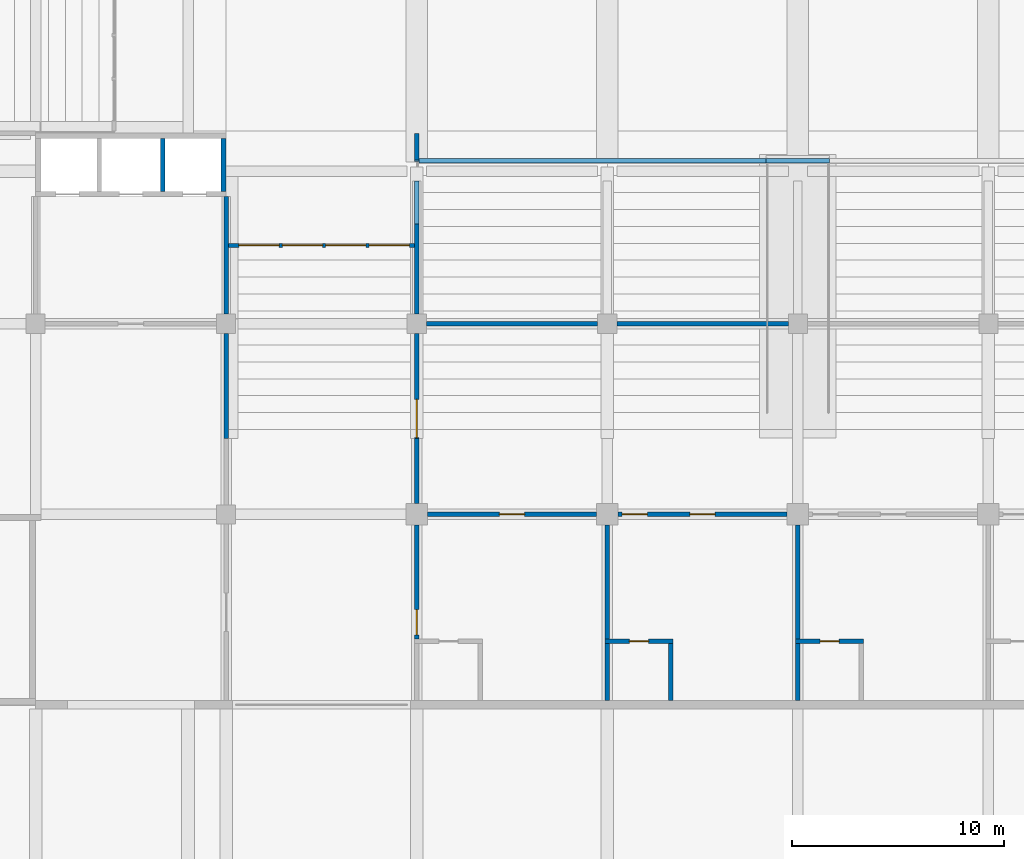
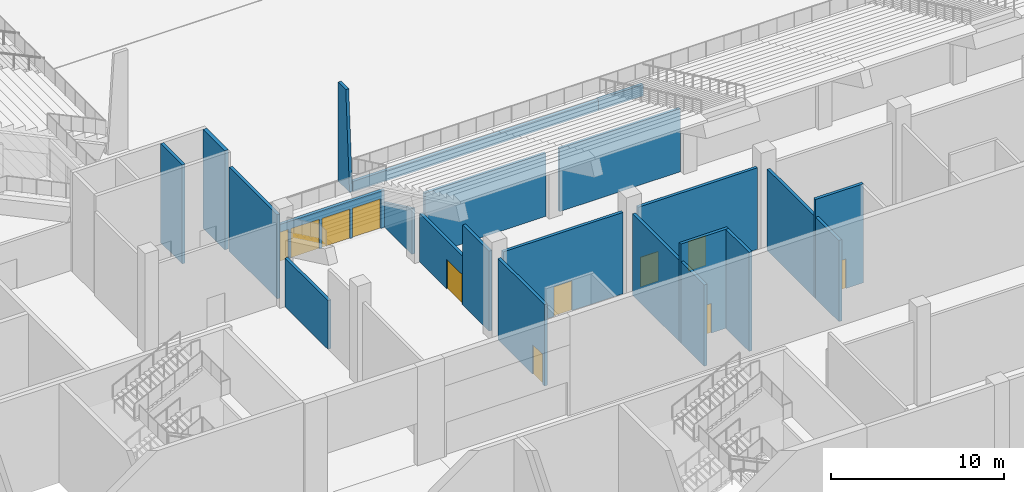
# One storey, part 25 of 92: 23 walls, 11 doors, 11 openings.
"""IFC4 building model written with IfcOpenShell, lengths in metres."""

from ifc_helpers import new_model, si_unit, direction, frame, frame_2d, origin, place, context, subcontext, project, spatial, polyline, rectangle, outline, extrude, material, layer, layer_set, type_object, element, fill, save


model = new_model("IFC4")

# Units and contexts
model_context = context("Model", 3, precision=1e-05, world=origin(), true_north=direction((0.0, 1.0)))
body_context = subcontext(model_context, "Body", "Model", "MODEL_VIEW")
ifc_project = project(units=[si_unit("LENGTHUNIT", "METRE"), si_unit("AREAUNIT", "SQUARE_METRE"), si_unit("VOLUMEUNIT", "CUBIC_METRE"), si_unit("PLANEANGLEUNIT", "RADIAN"), si_unit("MASSUNIT", "GRAM", prefix="KILO")], contexts=[model_context])

# Site, building, storey
site_placement = place(None, origin())
site = spatial("IfcSite", under=ifc_project, at=site_placement, CompositionType="ELEMENT")
building_placement = place(site_placement, origin())
building = spatial("IfcBuilding", under=site, at=building_placement, Name="Silverbay Arena", CompositionType="ELEMENT")
storey_placement = place(building_placement, origin())
storey = spatial("IfcBuildingStorey", under=building, at=storey_placement, Name="L00", CompositionType="ELEMENT", Elevation=0.0)

# Walls
ifc_material_1 = material(Name="Concrete Grade C45", Category="concrete")
ifc_layer_1 = layer(ifc_material_1, 0.199951171875)
ifc_layer_set_1 = layer_set([ifc_layer_1], Name="Concrete Grade C45")
wall_type_1 = type_object("IfcWallType", Name="Lift shaft divider RC 200 EI 120", PredefinedType="SHEAR", material=ifc_layer_set_1)
wall_1_placement = place(storey_placement, frame((96.0, 60.25, 0.0), z_axis=(0.0, 0.0, 1.0), x_axis=(0.0, 1.0, 0.0)))
element("IfcWall", 1, at=wall_1_placement, inside=storey, type_object=wall_type_1, Name="Lift shaft divider LB-SW L00 2", PredefinedType="SHEAR", context=body_context, shape_type="SweptSolid", body=[
    extrude(rectangle(XDim=2.5, YDim=0.199951171875, at=frame_2d((1.25, 0.0))), origin(), (0.0, 0.0, 1.0), 7.0),
])
ifc_material_2 = material(Name="Concrete Grade C45", Category="concrete")
ifc_layer_2 = layer(ifc_material_2, 0.25)
ifc_layer_set_2 = layer_set([ifc_layer_2], Name="Concrete Grade C45")
wall_type_2 = type_object("IfcWallType", Name="Lift shaft wall RC 250 EI 120", PredefinedType="SHEAR", material=ifc_layer_set_2)
wall_2_placement = place(storey_placement, frame((98.875, 60.25, 0.0), z_axis=(0.0, 0.0, 1.0), x_axis=(0.0, 1.0, 0.0)))
element("IfcWall", 2, at=wall_2_placement, inside=storey, type_object=wall_type_2, Name="Lift shaft wall LB-SW L00 end", PredefinedType="SHEAR", context=body_context, shape_type="SweptSolid", body=[
    extrude(rectangle(XDim=2.5, YDim=0.25, at=frame_2d((1.25, 0.0))), origin(), (0.0, 0.0, 1.0), 7.0),
])
ifc_material_3 = material(Name="Masonry blockwork partition", Category="masonry")
ifc_layer_3 = layer(ifc_material_3, 0.199951171875)
ifc_layer_set_3 = layer_set([ifc_layer_3], Name="Masonry blockwork partition")
wall_type_3 = type_object("IfcWallType", Name="Partition 200 EI 120", PredefinedType="PARTITIONING", material=ifc_layer_set_3)
wall_3_placement = place(storey_placement, frame((99.0, 48.571044921875, 0.0), z_axis=(0.0, 0.0, 1.0), x_axis=(0.0, 1.0, 0.0)))
element("IfcWall", 3, at=wall_3_placement, inside=storey, type_object=wall_type_3, Name="Partition wall", PredefinedType="PARTITIONING", context=body_context, shape_type="SweptSolid", body=[
    extrude(rectangle(XDim=4.97900390625, YDim=0.199951171875, at=frame_2d((2.489501953125, 0.0))), origin(), (0.0, 0.0, 1.0), 3.43896484375),
])
wall_4_placement = place(storey_placement, frame((99.0, 54.449951171875, 0.0), z_axis=(0.0, 0.0, 1.0), x_axis=(0.0, 1.0, 0.0)))
element("IfcWall", 4, at=wall_4_placement, inside=storey, type_object=wall_type_3, Name="Partition wall", PredefinedType="PARTITIONING", context=body_context, shape_type="SweptSolid", body=[
    extrude(rectangle(XDim=5.550048828125, YDim=0.199951171875, at=frame_2d((2.77490234375, 0.0))), origin(), (0.0, 0.0, 1.0), 5.949951171875),
])

# Wall, opening, door
wall_5_placement = place(storey_placement, frame((108.0, 39.10009765625, 0.0), z_axis=(0.0, 0.0, 1.0), x_axis=(0.0, 1.0, 0.0)))
wall_5 = element("IfcWall", 5, at=wall_5_placement, inside=storey, type_object=wall_type_3, Name="Partition wall", PredefinedType="PARTITIONING", context=body_context, shape_type="SweptSolid", body=[
    extrude(rectangle(XDim=5.39990234375, YDim=0.199951171875, at=frame_2d((2.699951171875, 0.0))), origin(), (0.0, 0.0, 1.0), 5.75),
])
opening_1_placement = place(wall_5_placement, frame((0.199951171875, 0.0, 0.0)))
opening_1 = element("IfcOpeningElement", 6, at=opening_1_placement, cuts=wall_5, Name="Opening L00-095", PredefinedType="OPENING", context=body_context, shape_type="SweptSolid", body=[
    extrude(rectangle(XDim=1.199951171875, YDim=2.10009765625, at=frame_2d((0.60009765625, 1.050048828125))), frame((0.0, 0.10986328125, 0.0), z_axis=(0.0, -1.0, 0.0), x_axis=(1.0, 0.0, 0.0)), (0.0, 0.0, 1.0), 0.219970703125),
])
ifc_material_4 = material(Name="Steel faced timber", Category="steel")
door_type_1 = type_object("IfcDoorType", Name="Single leaf door 1200 x 2100 FD120", OperationType="SINGLE_SWING_LEFT", PredefinedType="DOOR", material=ifc_material_4)
door_1_placement = place(opening_1_placement, frame((1.199951171875, 0.0, 0.0), z_axis=(0.0, 0.0, 1.0), x_axis=(-1.0, 0.0, 0.0)))
door_1 = element("IfcDoor", 7, at=door_1_placement, inside=storey, type_object=door_type_1, Name="Door L00-095", OperationType="SINGLE_SWING_RIGHT", OverallHeight=2.10009765625, OverallWidth=1.199951171875, PredefinedType="DOOR", context=body_context, shape_type="SweptSolid", body=[
    extrude(rectangle(XDim=1.199951171875, YDim=2.10009765625, at=frame_2d((0.60009765625, 1.050048828125))), frame((0.0, 0.02490234375, 0.0), z_axis=(0.0, -1.0, 0.0), x_axis=(1.0, 0.0, 0.0)), (0.0, 0.0, 1.0), 0.050048828125),
])
fill(opening_1, door_1)

wall_6_placement = place(storey_placement, frame((108.0, 48.571044921875, 0.0), z_axis=(0.0, 0.0, 1.0), x_axis=(0.0, 1.0, 0.0)))
wall_6 = element("IfcWall", 8, at=wall_6_placement, inside=storey, type_object=wall_type_3, Name="Partition wall", PredefinedType="PARTITIONING", context=body_context, shape_type="SweptSolid", body=[
    extrude(rectangle(XDim=4.97900390625, YDim=0.199951171875, at=frame_2d((2.489501953125, 0.0))), origin(), (0.0, 0.0, 1.0), 3.43896484375),
])
opening_2_placement = place(wall_6_placement, frame((0.053955078125, 0.0, 0.0)))
opening_2 = element("IfcOpeningElement", 9, at=opening_2_placement, cuts=wall_6, Name="Opening L00-079", PredefinedType="OPENING", context=body_context, shape_type="SweptSolid", body=[
    extrude(rectangle(XDim=1.800048828125, YDim=2.10009765625, at=frame_2d((0.89990234375, 1.050048828125))), frame((0.0, 0.10986328125, 0.0), z_axis=(0.0, -1.0, 0.0), x_axis=(1.0, 0.0, 0.0)), (0.0, 0.0, 1.0), 0.219970703125),
])
ifc_material_5 = material(Name="Steel faced timber", Category="steel")
door_type_2 = type_object("IfcDoorType", Name="Double leaf door 1800 x 2100 FD120", OperationType="DOUBLE_DOOR_DOUBLE_SWING", PredefinedType="DOOR", material=ifc_material_5)
door_2_placement = place(opening_2_placement, frame((1.800048828125, 0.0, 0.0), z_axis=(0.0, 0.0, 1.0), x_axis=(-1.0, 0.0, 0.0)))
door_2 = element("IfcDoor", 10, at=door_2_placement, inside=storey, type_object=door_type_2, Name="Door L00-079", OperationType="DOUBLE_DOOR_DOUBLE_SWING", OverallHeight=2.10009765625, OverallWidth=1.800048828125, PredefinedType="DOOR", context=body_context, shape_type="SweptSolid", body=[
    extrude(rectangle(XDim=1.800048828125, YDim=2.10009765625, at=frame_2d((0.89990234375, 1.050048828125))), frame((0.0, 0.02490234375, 0.0), z_axis=(0.0, -1.0, 0.0), x_axis=(1.0, 0.0, 0.0)), (0.0, 0.0, 1.0), 0.050048828125),
])
fill(opening_2, door_2)

# Walls
wall_7_placement = place(storey_placement, frame((108.0, 54.449951171875, 0.0), z_axis=(0.0, 0.0, 1.0), x_axis=(0.0, 1.0, 0.0)))
element("IfcWall", 11, at=wall_7_placement, inside=storey, type_object=wall_type_3, Name="Partition wall", PredefinedType="PARTITIONING", context=body_context, shape_type="SweptSolid", body=[
    extrude(outline(polyline([(0.0, 0.0), (6.300048828125, 0.0), (6.300048828125, 0.23876953125), (5.8154296875, 0.468994140625), (4.361572265625, 1.159423828125), (0.0, 3.231201171875), (0.0, 0.0)])), frame((0.0, 0.10009765625, 0.0), z_axis=(0.0, -1.0, 0.0), x_axis=(1.0, 0.0, 0.0)), (0.0, 0.0, 1.0), 0.199951171875),
])
wall_8_placement = place(storey_placement, frame((108.0, 61.64990234375, 0.0), z_axis=(0.0, 0.0, 1.0), x_axis=(0.0, 1.0, 0.0)))
element("IfcWall", 12, at=wall_8_placement, inside=storey, type_object=wall_type_3, Name="Partition wall", PredefinedType="PARTITIONING", context=body_context, shape_type="SweptSolid", body=[
    extrude(outline(polyline([(0.0, 0.0), (1.340087890625, 0.0), (1.340087890625, 7.0), (0.44677734375, 7.0), (0.0, -0.188720703125), (0.0, 0.0)])), frame((0.0, 0.10009765625, 0.0), z_axis=(0.0, -1.0, 0.0), x_axis=(1.0, 0.0, 0.0)), (0.0, 0.0, 1.0), 0.199951171875),
])
wall_9_placement = place(storey_placement, frame((108.0, 45.5, 0.0), z_axis=(0.0, 0.0, 1.0), x_axis=(0.0, 1.0, 0.0)))
element("IfcWall", 13, at=wall_9_placement, inside=storey, type_object=wall_type_3, Name="Partition wall", PredefinedType="PARTITIONING", context=body_context, shape_type="SweptSolid", body=[
    extrude(rectangle(XDim=3.071044921875, YDim=0.199951171875, at=frame_2d((1.53564453125, 0.0))), origin(), (0.0, 0.0, 1.0), 5.64990234375),
])

# Wall, opening, door
ifc_material_6 = material(Name="Gypsum board partition on steel studs", Category="steel")
ifc_layer_4 = layer(ifc_material_6, 0.199951171875)
ifc_layer_set_4 = layer_set([ifc_layer_4], Name="Gypsum board partition on steel studs")
wall_type_4 = type_object("IfcWallType", Name="Partition 200 EI 60", PredefinedType="PARTITIONING", material=ifc_layer_set_4)
wall_10_placement = place(storey_placement, frame((108.5, 45.0, 0.0), z_axis=(0.0, 0.0, 1.0), x_axis=(1.0, 0.0, 0.0)))
wall_10 = element("IfcWall", 14, at=wall_10_placement, inside=storey, type_object=wall_type_4, Name="Partition wall", PredefinedType="PARTITIONING", context=body_context, shape_type="SweptSolid", body=[
    extrude(rectangle(XDim=8.0, YDim=0.199951171875, at=frame_2d((4.0, 0.0))), origin(), (0.0, 0.0, 1.0), 5.75),
])
opening_3_placement = place(wall_10_placement, frame((3.39990234375, 0.0, 0.0)))
opening_3 = element("IfcOpeningElement", 15, at=opening_3_placement, cuts=wall_10, Name="Opening L00-021", PredefinedType="OPENING", context=body_context, shape_type="SweptSolid", body=[
    extrude(rectangle(XDim=1.199951171875, YDim=2.10009765625, at=frame_2d((0.60009765625, 1.050048828125))), frame((0.0, 0.10986328125, 0.0), z_axis=(0.0, -1.0, 0.0), x_axis=(1.0, 0.0, 0.0)), (0.0, 0.0, 1.0), 0.219970703125),
])
ifc_material_7 = material(Name="Steel faced timber", Category="steel")
door_type_3 = type_object("IfcDoorType", Name="Single leaf door 1200 x 2100 FD30S", OperationType="SINGLE_SWING_LEFT", PredefinedType="DOOR", material=ifc_material_7)
door_3_placement = place(opening_3_placement, frame((1.199951171875, 0.0, 0.0), z_axis=(0.0, 0.0, 1.0), x_axis=(-1.0, 0.0, 0.0)))
door_3 = element("IfcDoor", 16, at=door_3_placement, inside=storey, type_object=door_type_3, Name="Door L00-021", OperationType="SINGLE_SWING_RIGHT", OverallHeight=2.10009765625, OverallWidth=1.199951171875, PredefinedType="DOOR", context=body_context, shape_type="SweptSolid", body=[
    extrude(rectangle(XDim=1.199951171875, YDim=2.10009765625, at=frame_2d((0.60009765625, 1.050048828125))), frame((0.0, 0.02490234375, 0.0), z_axis=(0.0, -1.0, 0.0), x_axis=(1.0, 0.0, 0.0)), (0.0, 0.0, 1.0), 0.050048828125),
])
fill(opening_3, door_3)

# Wall, openings, doors
wall_11_placement = place(storey_placement, frame((117.5, 45.0, 0.0), z_axis=(0.0, 0.0, 1.0), x_axis=(1.0, 0.0, 0.0)))
wall_11 = element("IfcWall", 17, at=wall_11_placement, inside=storey, type_object=wall_type_4, Name="Partition wall", PredefinedType="PARTITIONING", context=body_context, shape_type="SweptSolid", body=[
    extrude(rectangle(XDim=8.0, YDim=0.199951171875, at=frame_2d((4.0, 0.0))), origin(), (0.0, 0.0, 1.0), 5.75),
])
opening_4_placement = place(wall_11_placement, frame((3.39990234375, 0.0, 0.0)))
opening_4 = element("IfcOpeningElement", 18, at=opening_4_placement, cuts=wall_11, Name="Opening L00-023", PredefinedType="OPENING", context=body_context, shape_type="SweptSolid", body=[
    extrude(rectangle(XDim=1.199951171875, YDim=2.10009765625, at=frame_2d((0.60009765625, 1.050048828125))), frame((0.0, 0.10986328125, 0.0), z_axis=(0.0, -1.0, 0.0), x_axis=(1.0, 0.0, 0.0)), (0.0, 0.0, 1.0), 0.219970703125),
])
opening_5_placement = place(wall_11_placement, frame((0.199951171875, 0.0, 0.0)))
opening_5 = element("IfcOpeningElement", 19, at=opening_5_placement, cuts=wall_11, Name="Opening L00-096", PredefinedType="OPENING", context=body_context, shape_type="SweptSolid", body=[
    extrude(rectangle(XDim=1.199951171875, YDim=2.10009765625, at=frame_2d((0.60009765625, 1.050048828125))), frame((0.0, 0.10986328125, 0.0), z_axis=(0.0, -1.0, 0.0), x_axis=(1.0, 0.0, 0.0)), (0.0, 0.0, 1.0), 0.219970703125),
])
door_4_placement = place(opening_4_placement, frame((1.199951171875, 0.0, 0.0), z_axis=(0.0, 0.0, 1.0), x_axis=(-1.0, 0.0, 0.0)))
door_4 = element("IfcDoor", 20, at=door_4_placement, inside=storey, type_object=door_type_3, Name="Door L00-023", OperationType="SINGLE_SWING_RIGHT", OverallHeight=2.10009765625, OverallWidth=1.199951171875, PredefinedType="DOOR", context=body_context, shape_type="SweptSolid", body=[
    extrude(rectangle(XDim=1.199951171875, YDim=2.10009765625, at=frame_2d((0.60009765625, 1.050048828125))), frame((0.0, 0.02490234375, 0.0), z_axis=(0.0, -1.0, 0.0), x_axis=(1.0, 0.0, 0.0)), (0.0, 0.0, 1.0), 0.050048828125),
])
fill(opening_4, door_4)
door_5_placement = place(opening_5_placement, frame((1.199951171875, 0.0, 0.0), z_axis=(0.0, 0.0, 1.0), x_axis=(-1.0, 0.0, 0.0)))
door_5 = element("IfcDoor", 21, at=door_5_placement, inside=storey, type_object=door_type_3, Name="Door L00-096", OperationType="SINGLE_SWING_RIGHT", OverallHeight=2.10009765625, OverallWidth=1.199951171875, PredefinedType="DOOR", context=body_context, shape_type="SweptSolid", body=[
    extrude(rectangle(XDim=1.199951171875, YDim=2.10009765625, at=frame_2d((0.60009765625, 1.050048828125))), frame((0.0, 0.02490234375, 0.0), z_axis=(0.0, -1.0, 0.0), x_axis=(1.0, 0.0, 0.0)), (0.0, 0.0, 1.0), 0.050048828125),
])
fill(opening_5, door_5)

# Walls
for number, where, z_axis, x_axis, name in (
    (22, (117.449951171875, 54.0, 0.0), (0.0, 0.0, 1.0), (1.0, 0.0, 0.0), "Partition wall"),
    (23, (108.449951171875, 54.0, 0.0), (0.0, 0.0, 1.0), (1.0, 0.0, 0.0), "Partition wall"),
):
    element("IfcWall", number, at=place(storey_placement, frame(where, z_axis=z_axis, x_axis=x_axis)), inside=storey, type_object=wall_type_4, Name=name, PredefinedType="PARTITIONING", context=body_context, shape_type="SweptSolid", body=[
        extrude(rectangle(XDim=8.10009765625, YDim=0.199951171875, at=frame_2d((4.050048828125, 0.0))), origin(), (0.0, 0.0, 1.0), 4.445068359375),
    ])
for number, where, z_axis, x_axis, name in (
    (24, (117.0, 39.10009765625, 0.0), (0.0, 0.0, 1.0), (0.0, 1.0, 0.0), "Partition wall"),
    (25, (126.0, 39.10009765625, 0.0), (0.0, 0.0, 1.0), (0.0, 1.0, 0.0), "Partition wall"),
):
    element("IfcWall", number, at=place(storey_placement, frame(where, z_axis=z_axis, x_axis=x_axis)), inside=storey, type_object=wall_type_4, Name=name, PredefinedType="PARTITIONING", context=body_context, shape_type="SweptSolid", body=[
        extrude(rectangle(XDim=5.39990234375, YDim=0.199951171875, at=frame_2d((2.699951171875, 0.0))), origin(), (0.0, 0.0, 1.0), 5.75),
    ])

# Wall, opening, door
ifc_material_8 = material(Name="Gypsum board partition on steel studs", Category="steel")
ifc_layer_5 = layer(ifc_material_8, 0.199951171875)
ifc_layer_set_5 = layer_set([ifc_layer_5], Name="Gypsum board partition on steel studs")
wall_type_5 = type_object("IfcWallType", Name="Partition 200 plain", PredefinedType="PARTITIONING", material=ifc_layer_set_5)
wall_12_placement = place(storey_placement, frame((116.89990234375, 39.0, 0.0), z_axis=(0.0, 0.0, 1.0), x_axis=(1.0, 0.0, 0.0)))
wall_12 = element("IfcWall", 26, at=wall_12_placement, inside=storey, type_object=wall_type_5, Name="Partition wall", PredefinedType="PARTITIONING", context=body_context, shape_type="SweptSolid", body=[
    extrude(rectangle(XDim=3.2001953125, YDim=0.199951171875, at=frame_2d((1.60009765625, 0.0))), origin(), (0.0, 0.0, 1.0), 7.0),
])
opening_6_placement = place(wall_12_placement, frame((1.14990234375, 0.0, 0.0)))
opening_6 = element("IfcOpeningElement", 27, at=opening_6_placement, cuts=wall_12, Name="Opening L00-024", PredefinedType="OPENING", context=body_context, shape_type="SweptSolid", body=[
    extrude(rectangle(XDim=0.89990234375, YDim=2.10009765625, at=frame_2d((0.449951171875, 1.050048828125))), frame((0.0, 0.10986328125, 0.0), z_axis=(0.0, -1.0, 0.0), x_axis=(1.0, 0.0, 0.0)), (0.0, 0.0, 1.0), 0.219970703125),
])
ifc_material_9 = material(Name="Timber", Category="wood")
door_type_4 = type_object("IfcDoorType", Name="Single leaf door 900 x 2100", OperationType="SINGLE_SWING_LEFT", PredefinedType="DOOR", material=ifc_material_9)
door_6_placement = place(opening_6_placement, frame((0.89990234375, 0.0, 0.0), z_axis=(0.0, 0.0, 1.0), x_axis=(-1.0, 0.0, 0.0)))
door_6 = element("IfcDoor", 28, at=door_6_placement, inside=storey, type_object=door_type_4, Name="Door L00-024", OperationType="SINGLE_SWING_LEFT", OverallHeight=2.10009765625, OverallWidth=0.89990234375, PredefinedType="DOOR", context=body_context, shape_type="SweptSolid", body=[
    extrude(rectangle(XDim=0.89990234375, YDim=2.10009765625, at=frame_2d((0.449951171875, 1.050048828125))), frame((0.0, 0.02490234375, 0.0), z_axis=(0.0, -1.0, 0.0), x_axis=(1.0, 0.0, 0.0)), (0.0, 0.0, 1.0), 0.050048828125),
])
fill(opening_6, door_6)

wall_13_placement = place(storey_placement, frame((125.89990234375, 39.0, 0.0), z_axis=(0.0, 0.0, 1.0), x_axis=(1.0, 0.0, 0.0)))
wall_13 = element("IfcWall", 29, at=wall_13_placement, inside=storey, type_object=wall_type_5, Name="Partition wall", PredefinedType="PARTITIONING", context=body_context, shape_type="SweptSolid", body=[
    extrude(rectangle(XDim=3.2001953125, YDim=0.199951171875, at=frame_2d((1.60009765625, 0.0))), origin(), (0.0, 0.0, 1.0), 7.0),
])
opening_7_placement = place(wall_13_placement, frame((1.14990234375, 0.0, 0.0)))
opening_7 = element("IfcOpeningElement", 30, at=opening_7_placement, cuts=wall_13, Name="Opening L00-026", PredefinedType="OPENING", context=body_context, shape_type="SweptSolid", body=[
    extrude(rectangle(XDim=0.89990234375, YDim=2.10009765625, at=frame_2d((0.449951171875, 1.050048828125))), frame((0.0, 0.10986328125, 0.0), z_axis=(0.0, -1.0, 0.0), x_axis=(1.0, 0.0, 0.0)), (0.0, 0.0, 1.0), 0.219970703125),
])
door_7_placement = place(opening_7_placement, frame((0.89990234375, 0.0, 0.0), z_axis=(0.0, 0.0, 1.0), x_axis=(-1.0, 0.0, 0.0)))
door_7 = element("IfcDoor", 31, at=door_7_placement, inside=storey, type_object=door_type_4, Name="Door L00-026", OperationType="SINGLE_SWING_LEFT", OverallHeight=2.10009765625, OverallWidth=0.89990234375, PredefinedType="DOOR", context=body_context, shape_type="SweptSolid", body=[
    extrude(rectangle(XDim=0.89990234375, YDim=2.10009765625, at=frame_2d((0.449951171875, 1.050048828125))), frame((0.0, 0.02490234375, 0.0), z_axis=(0.0, -1.0, 0.0), x_axis=(1.0, 0.0, 0.0)), (0.0, 0.0, 1.0), 0.050048828125),
])
fill(opening_7, door_7)

# Walls
wall_14_placement = place(storey_placement, frame((117.0, 36.199951171875, 0.0), z_axis=(0.0, 0.0, 1.0), x_axis=(0.0, 1.0, 0.0)))
element("IfcWall", 32, at=wall_14_placement, inside=storey, type_object=wall_type_5, Name="Partition wall", PredefinedType="PARTITIONING", context=body_context, shape_type="SweptSolid", body=[
    extrude(rectangle(XDim=2.699951171875, YDim=0.199951171875, at=frame_2d((1.35009765625, 0.0))), origin(), (0.0, 0.0, 1.0), 5.75),
])
wall_15_placement = place(storey_placement, frame((120.0, 36.199951171875, 0.0), z_axis=(0.0, 0.0, 1.0), x_axis=(0.0, 1.0, 0.0)))
element("IfcWall", 33, at=wall_15_placement, inside=storey, type_object=wall_type_5, Name="Partition wall", PredefinedType="PARTITIONING", context=body_context, shape_type="SweptSolid", body=[
    extrude(rectangle(XDim=2.699951171875, YDim=0.199951171875, at=frame_2d((1.35009765625, 0.0))), origin(), (0.0, 0.0, 1.0), 7.0),
])
wall_16_placement = place(storey_placement, frame((126.0, 36.199951171875, 0.0), z_axis=(0.0, 0.0, 1.0), x_axis=(0.0, 1.0, 0.0)))
element("IfcWall", 34, at=wall_16_placement, inside=storey, type_object=wall_type_5, Name="Partition wall", PredefinedType="PARTITIONING", context=body_context, shape_type="SweptSolid", body=[
    extrude(rectangle(XDim=2.699951171875, YDim=0.199951171875, at=frame_2d((1.35009765625, 0.0))), origin(), (0.0, 0.0, 1.0), 5.75),
])
ifc_material_10 = material(Name="Concrete Grade C45", Category="concrete")
ifc_layer_6 = layer(ifc_material_10, 0.199951171875)
ifc_layer_set_6 = layer_set([ifc_layer_6], Name="Concrete Grade C45")
wall_type_6 = type_object("IfcWallType", Name="Stand front wall RC 200 EI 120", PredefinedType="SOLIDWALL", material=ifc_layer_set_6)
wall_17_placement = place(storey_placement, frame((108.10009765625, 61.699951171875, 0.0), z_axis=(0.0, 0.0, 1.0), x_axis=(1.0, 0.0, 0.0)))
element("IfcWall", 35, at=wall_17_placement, inside=storey, type_object=wall_type_6, Name="Stand front wall", PredefinedType="SOLIDWALL", context=body_context, shape_type="SweptSolid", body=[
    extrude(rectangle(XDim=16.39990234375, YDim=0.199951171875, at=frame_2d((8.199951171875, 0.0))), origin(), (0.0, 0.0, 1.0), 0.739990234375),
])
wall_18_placement = place(storey_placement, frame((124.5, 61.699951171875, 0.0), z_axis=(0.0, 0.0, 1.0), x_axis=(1.0, 0.0, 0.0)))
element("IfcWall", 36, at=wall_18_placement, inside=storey, type_object=wall_type_6, Name="Stand front wall", PredefinedType="SOLIDWALL", context=body_context, shape_type="SweptSolid", body=[
    extrude(rectangle(XDim=3.0, YDim=0.199951171875, at=frame_2d((1.5, 0.0))), origin(), (0.0, 0.0, 1.0), 0.811279296875),
])

# Wall, openings, doors
ifc_material_11 = material(Name="Concrete Grade C45", Category="concrete")
ifc_layer_7 = layer(ifc_material_11, 0.199951171875)
ifc_layer_set_7 = layer_set([ifc_layer_7], Name="Concrete Grade C45")
wall_type_7 = type_object("IfcWallType", Name="Tunnel mouth wall RC 200 EI 120", PredefinedType="SOLIDWALL", material=ifc_layer_set_7)
wall_19_placement = place(storey_placement, frame((99.10009765625, 57.699951171875, 0.0), z_axis=(0.0, 0.0, 1.0), x_axis=(1.0, 0.0, 0.0)))
wall_19 = element("IfcWall", 37, at=wall_19_placement, inside=storey, type_object=wall_type_7, Name="tunnel mouth floor tunnel SW", PredefinedType="SOLIDWALL", context=body_context, shape_type="SweptSolid", body=[
    extrude(rectangle(XDim=8.7998046875, YDim=0.199951171875, at=frame_2d((4.39990234375, 0.0))), origin(), (0.0, 0.0, 1.0), 2.639892578125),
])
opening_8_placement = place(wall_19_placement, frame((0.5, 0.0, 0.0)))
opening_8 = element("IfcOpeningElement", 38, at=opening_8_placement, cuts=wall_19, Name="Opening L00-230", PredefinedType="OPENING", context=body_context, shape_type="SweptSolid", body=[
    extrude(rectangle(XDim=1.89990234375, YDim=2.10009765625, at=frame_2d((0.949951171875, 1.050048828125))), frame((0.0, 0.10986328125, 0.0), z_axis=(0.0, -1.0, 0.0), x_axis=(1.0, 0.0, 0.0)), (0.0, 0.0, 1.0), 0.219970703125),
])
opening_9_placement = place(wall_19_placement, frame((2.550048828125, 0.0, 0.0)))
opening_9 = element("IfcOpeningElement", 39, at=opening_9_placement, cuts=wall_19, Name="Opening L00-231", PredefinedType="OPENING", context=body_context, shape_type="SweptSolid", body=[
    extrude(rectangle(XDim=1.89990234375, YDim=2.10009765625, at=frame_2d((0.949951171875, 1.050048828125))), frame((0.0, 0.10986328125, 0.0), z_axis=(0.0, -1.0, 0.0), x_axis=(1.0, 0.0, 0.0)), (0.0, 0.0, 1.0), 0.219970703125),
])
opening_10_placement = place(wall_19_placement, frame((4.60009765625, 0.0, 0.0)))
opening_10 = element("IfcOpeningElement", 40, at=opening_10_placement, cuts=wall_19, Name="Opening L00-232", PredefinedType="OPENING", context=body_context, shape_type="SweptSolid", body=[
    extrude(rectangle(XDim=1.89990234375, YDim=2.10009765625, at=frame_2d((0.949951171875, 1.050048828125))), frame((0.0, 0.10986328125, 0.0), z_axis=(0.0, -1.0, 0.0), x_axis=(1.0, 0.0, 0.0)), (0.0, 0.0, 1.0), 0.219970703125),
])
opening_11_placement = place(wall_19_placement, frame((6.64990234375, 0.0, 0.0)))
opening_11 = element("IfcOpeningElement", 41, at=opening_11_placement, cuts=wall_19, Name="Opening L00-233", PredefinedType="OPENING", context=body_context, shape_type="SweptSolid", body=[
    extrude(rectangle(XDim=1.89990234375, YDim=2.10009765625, at=frame_2d((0.949951171875, 1.050048828125))), frame((0.0, 0.10986328125, 0.0), z_axis=(0.0, -1.0, 0.0), x_axis=(1.0, 0.0, 0.0)), (0.0, 0.0, 1.0), 0.219970703125),
])
ifc_material_12 = material(Name="Steel", Category="steel")
door_type_5 = type_object("IfcDoorType", Name="Fire door pair 1900 x 2100 FD120S tunnel", OperationType="DOUBLE_DOOR_SINGLE_SWING", PredefinedType="DOOR", material=ifc_material_12)
door_8_placement = place(opening_8_placement, frame((1.89990234375, 0.0, 0.0), z_axis=(0.0, 0.0, 1.0), x_axis=(-1.0, 0.0, 0.0)))
door_8 = element("IfcDoor", 42, at=door_8_placement, inside=storey, type_object=door_type_5, Name="Fire door pair L00 tunnel mouth floor tunnel SW", OperationType="DOUBLE_DOOR_SINGLE_SWING", OverallHeight=2.10009765625, OverallWidth=1.89990234375, PredefinedType="DOOR", context=body_context, shape_type="SweptSolid", body=[
    extrude(rectangle(XDim=1.89990234375, YDim=2.10009765625, at=frame_2d((0.949951171875, 1.050048828125))), frame((0.0, 0.02490234375, 0.0), z_axis=(0.0, -1.0, 0.0), x_axis=(1.0, 0.0, 0.0)), (0.0, 0.0, 1.0), 0.050048828125),
])
fill(opening_8, door_8)
door_9_placement = place(opening_9_placement, frame((1.89990234375, 0.0, 0.0), z_axis=(0.0, 0.0, 1.0), x_axis=(-1.0, 0.0, 0.0)))
door_9 = element("IfcDoor", 43, at=door_9_placement, inside=storey, type_object=door_type_5, Name="Fire door pair L00 tunnel mouth floor tunnel SW", OperationType="DOUBLE_DOOR_SINGLE_SWING", OverallHeight=2.10009765625, OverallWidth=1.89990234375, PredefinedType="DOOR", context=body_context, shape_type="SweptSolid", body=[
    extrude(rectangle(XDim=1.89990234375, YDim=2.10009765625, at=frame_2d((0.949951171875, 1.050048828125))), frame((0.0, 0.02490234375, 0.0), z_axis=(0.0, -1.0, 0.0), x_axis=(1.0, 0.0, 0.0)), (0.0, 0.0, 1.0), 0.050048828125),
])
fill(opening_9, door_9)
door_10_placement = place(opening_10_placement, frame((1.89990234375, 0.0, 0.0), z_axis=(0.0, 0.0, 1.0), x_axis=(-1.0, 0.0, 0.0)))
door_10 = element("IfcDoor", 44, at=door_10_placement, inside=storey, type_object=door_type_5, Name="Fire door pair L00 tunnel mouth floor tunnel SW", OperationType="DOUBLE_DOOR_SINGLE_SWING", OverallHeight=2.10009765625, OverallWidth=1.89990234375, PredefinedType="DOOR", context=body_context, shape_type="SweptSolid", body=[
    extrude(rectangle(XDim=1.89990234375, YDim=2.10009765625, at=frame_2d((0.949951171875, 1.050048828125))), frame((0.0, 0.02490234375, 0.0), z_axis=(0.0, -1.0, 0.0), x_axis=(1.0, 0.0, 0.0)), (0.0, 0.0, 1.0), 0.050048828125),
])
fill(opening_10, door_10)
door_11_placement = place(opening_11_placement, frame((1.89990234375, 0.0, 0.0), z_axis=(0.0, 0.0, 1.0), x_axis=(-1.0, 0.0, 0.0)))
door_11 = element("IfcDoor", 45, at=door_11_placement, inside=storey, type_object=door_type_5, Name="Fire door pair L00 tunnel mouth floor tunnel SW", OperationType="DOUBLE_DOOR_SINGLE_SWING", OverallHeight=2.10009765625, OverallWidth=1.89990234375, PredefinedType="DOOR", context=body_context, shape_type="SweptSolid", body=[
    extrude(rectangle(XDim=1.89990234375, YDim=2.10009765625, at=frame_2d((0.949951171875, 1.050048828125))), frame((0.0, 0.02490234375, 0.0), z_axis=(0.0, -1.0, 0.0), x_axis=(1.0, 0.0, 0.0)), (0.0, 0.0, 1.0), 0.050048828125),
])
fill(opening_11, door_11)

save(model, "model.ifc")
